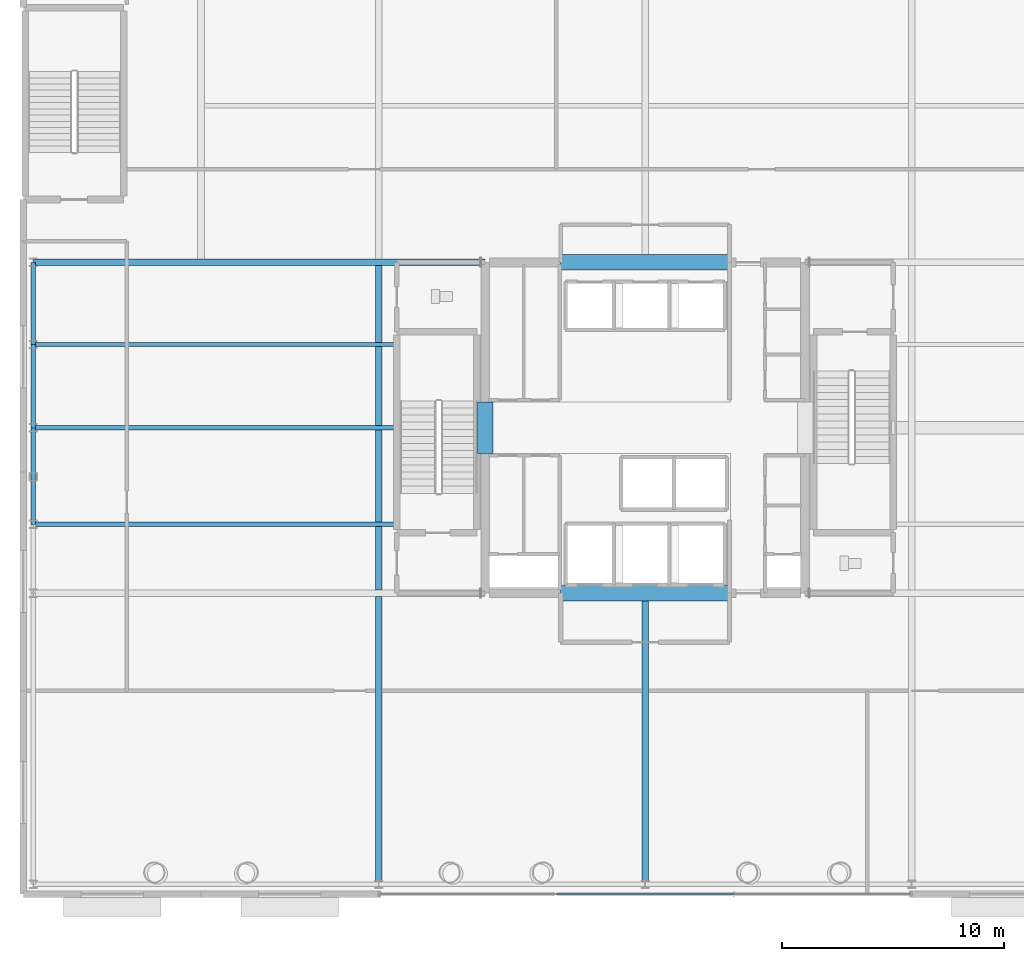
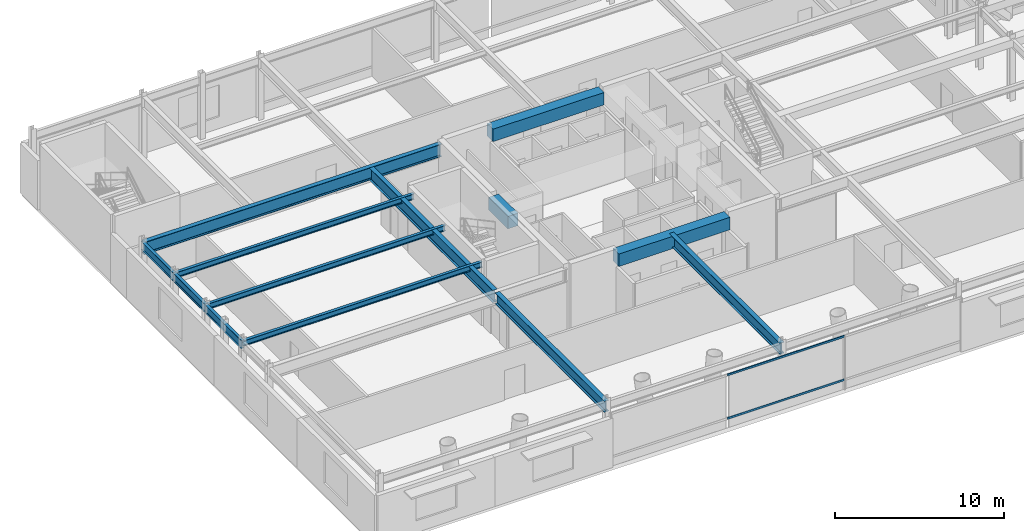
# One storey, part 7 of 26: 13 beams, 2 members, 1 element without a shape of its own.
"""IFC4 building model written with IfcOpenShell, lengths in metres."""

from ifc_helpers import new_model, si_unit, direction, frame, origin, origin_2d, place, context, subcontext, project, spatial, rectangle, hollow_rectangle, i_section, extrude, material, layer, layer_set, material_profile, profile_set, type_object, element, aggregate, save


model = new_model("IFC4")

# Units and contexts
model_context = context("Model", 3, precision=1e-05, world=origin(), true_north=direction((0.0, 1.0)))
body_context = subcontext(model_context, "Body", "Model", "MODEL_VIEW")
ifc_project = project(units=[si_unit("LENGTHUNIT", "METRE"), si_unit("AREAUNIT", "SQUARE_METRE"), si_unit("VOLUMEUNIT", "CUBIC_METRE"), si_unit("PLANEANGLEUNIT", "RADIAN"), si_unit("MASSUNIT", "GRAM", prefix="KILO")], contexts=[model_context])

# Site, building, storey
site_placement = place(None, origin())
site = spatial("IfcSite", under=ifc_project, at=site_placement, CompositionType="ELEMENT")
building_placement = place(site_placement, origin())
building = spatial("IfcBuilding", under=site, at=building_placement, Name="Veldorina Hangang Commons", CompositionType="ELEMENT")
storey_placement = place(building_placement, frame((0.0, 0.0, 10.0)))
storey = spatial("IfcBuildingStorey", under=building, at=storey_placement, Name="L02", CompositionType="ELEMENT", Elevation=10.0)

# Beams
ifc_material_1 = material(Name="Concrete C70/85", Category="concrete")
ifc_material_profile_1 = material_profile(ifc_material_1, rectangle(XDim=0.699951171875, YDim=0.89990234375, at=origin_2d()), Name="RC-CB-700x900")
ifc_profile_set_1 = profile_set([ifc_material_profile_1], Name="Concrete C70/85")
beam_type_1 = type_object("IfcBeamType", Name="BM-CB900", PredefinedType="LINTEL", material=ifc_profile_set_1)
beam_1_placement = place(storey_placement, frame((24.800048828125, 22.85009765625, 4.050048828125), z_axis=(0.0, 1.0, 0.0), x_axis=(-1.0, 0.0, 0.0)))
element("IfcBeam", 1, at=beam_1_placement, inside=storey, type_object=beam_type_1, Name="L02 W core coupling lintel beam", PredefinedType="LINTEL", context=body_context, shape_type="SweptSolid", body=[
    extrude(rectangle(XDim=0.699951171875, YDim=0.89990234375, at=origin_2d()), origin(), (0.0, 0.0, 1.0), 2.2998046875),
])
for number, where, z_axis, x_axis, name in (
    (2, (28.199951171875, 16.550048828125, 4.050048828125), (1.0, 0.0, 0.0), (0.0, 1.0, 0.0), "L02 south core coupling beam"),
    (3, (28.199951171875, 31.449951171875, 4.050048828125), (1.0, 0.0, 0.0), (0.0, 1.0, 0.0), "L02 north core coupling beam"),
):
    element("IfcBeam", number, at=place(storey_placement, frame(where, z_axis=z_axis, x_axis=x_axis)), inside=storey, type_object=beam_type_1, Name=name, PredefinedType="LINTEL", context=body_context, shape_type="SweptSolid", body=[
        extrude(rectangle(XDim=0.699951171875, YDim=0.89990234375, at=origin_2d()), origin(), (0.0, 0.0, 1.0), 7.60009765625),
    ])
ifc_material_2 = material(Name="Steel SM355-TMC", Category="steel")
ifc_material_profile_2 = material_profile(ifc_material_2, i_section(OverallWidth=0.199951171875, OverallDepth=0.39990234375, WebThickness=0.008056640625, FlangeThickness=0.012939453125, FilletRadius=0.012939453125, at=origin_2d()), Name="H-400x200x8x13")
ifc_profile_set_2 = profile_set([ifc_material_profile_2], Name="Steel SM355-TMC")
beam_type_2 = type_object("IfcBeamType", Name="BM-JST400", PredefinedType="JOIST", material=ifc_profile_set_2)
for number, where, z_axis, x_axis, name in (
    (4, (4.449951171875, 19.64990234375, 4.300048828125), (1.0, 0.0, 0.0), (0.0, 1.0, 0.0), "L02 west floor joist 1"),
    (5, (4.449951171875, 24.0, 4.300048828125), (1.0, 0.0, 0.0), (0.0, 1.0, 0.0), "L02 west floor joist 2"),
    (6, (4.449951171875, 27.75, 4.300048828125), (1.0, 0.0, 0.0), (0.0, 1.0, 0.0), "L02 west floor joist 3"),
):
    element("IfcBeam", number, at=place(storey_placement, frame(where, z_axis=z_axis, x_axis=x_axis)), inside=storey, type_object=beam_type_2, Name=name, PredefinedType="JOIST", context=body_context, shape_type="SweptSolid", body=[
        extrude(i_section(OverallWidth=0.199951171875, OverallDepth=0.39990234375, WebThickness=0.008056640625, FlangeThickness=0.012939453125, FilletRadius=0.012939453125, at=origin_2d()), origin(), (0.0, 0.0, 1.0), 16.3701171875),
    ])
ifc_material_3 = material(Name="Steel SM460-TMC", Category="steel")
ifc_material_profile_3 = material_profile(ifc_material_3, i_section(OverallWidth=0.300048828125, OverallDepth=0.800048828125, WebThickness=0.013916015625, FlangeThickness=0.02587890625, FilletRadius=0.02197265625, at=origin_2d()), Name="H-800x300x14x26")
ifc_profile_set_3 = profile_set([ifc_material_profile_3], Name="Steel SM460-TMC")
beam_type_3 = type_object("IfcBeamType", Name="BM-PG800", PredefinedType="BEAM", material=ifc_profile_set_3)
beam_2_placement = place(storey_placement, frame((20.0, 3.449951171875, 4.10009765625), z_axis=(0.0, 1.0, 0.0), x_axis=(-1.0, 0.0, 0.0)))
element("IfcBeam", 7, at=beam_2_placement, inside=storey, type_object=beam_type_3, Name="L02 south primary girder G3", PredefinedType="BEAM", context=body_context, shape_type="SweptSolid", body=[
    extrude(i_section(OverallWidth=0.300048828125, OverallDepth=0.800048828125, WebThickness=0.013916015625, FlangeThickness=0.02587890625, FilletRadius=0.02197265625, at=origin_2d()), origin(), (0.0, 0.0, 1.0), 12.9599609375),
])
beam_3_placement = place(storey_placement, frame((32.0, 3.449951171875, 4.10009765625), z_axis=(0.0, 1.0, 0.0), x_axis=(-1.0, 0.0, 0.0)))
element("IfcBeam", 8, at=beam_3_placement, inside=storey, type_object=beam_type_3, Name="L02 south primary girder G5", PredefinedType="BEAM", context=body_context, shape_type="SweptSolid", body=[
    extrude(i_section(OverallWidth=0.300048828125, OverallDepth=0.800048828125, WebThickness=0.013916015625, FlangeThickness=0.02587890625, FilletRadius=0.02197265625, at=origin_2d()), origin(), (0.0, 0.0, 1.0), 13.10009765625),
])
ifc_material_profile_4 = material_profile(ifc_material_3, i_section(OverallWidth=0.300048828125, OverallDepth=0.89990234375, WebThickness=0.01611328125, FlangeThickness=0.028076171875, FilletRadius=0.02197265625, at=origin_2d()), Name="H-900x300x16x28")
ifc_profile_set_4 = profile_set([ifc_material_profile_4], Name="Steel SM460-TMC")
beam_type_4 = type_object("IfcBeamType", Name="BM-PG900", PredefinedType="BEAM", material=ifc_profile_set_4)
beam_4_placement = place(storey_placement, frame((4.449951171875, 31.449951171875, 4.050048828125), z_axis=(1.0, 0.0, 0.0), x_axis=(0.0, 1.0, 0.0)))
element("IfcBeam", 9, at=beam_4_placement, inside=storey, type_object=beam_type_4, Name="L02 west collector girder GF", PredefinedType="BEAM", context=body_context, shape_type="SweptSolid", body=[
    extrude(i_section(OverallWidth=0.300048828125, OverallDepth=0.89990234375, WebThickness=0.01611328125, FlangeThickness=0.028076171875, FilletRadius=0.02197265625, at=origin_2d()), origin(), (0.0, 0.0, 1.0), 20.35009765625),
])
beam_5_placement = place(storey_placement, frame((20.0, 16.68994140625, 4.050048828125), z_axis=(0.0, 1.0, 0.0), x_axis=(-1.0, 0.0, 0.0)))
element("IfcBeam", 10, at=beam_5_placement, inside=storey, type_object=beam_type_4, Name="L02 mid primary girder G3", PredefinedType="BEAM", context=body_context, shape_type="SweptSolid", body=[
    extrude(i_section(OverallWidth=0.300048828125, OverallDepth=0.89990234375, WebThickness=0.01611328125, FlangeThickness=0.028076171875, FilletRadius=0.02197265625, at=origin_2d()), origin(), (0.0, 0.0, 1.0), 14.6201171875),
])
ifc_material_4 = material(Name="Steel SM420-TMC", Category="steel")
ifc_material_profile_5 = material_profile(ifc_material_4, i_section(OverallWidth=0.199951171875, OverallDepth=0.60009765625, WebThickness=0.010986328125, FlangeThickness=0.01708984375, FilletRadius=0.01806640625, at=origin_2d()), Name="H-600x200x11x17")
ifc_profile_set_5 = profile_set([ifc_material_profile_5], Name="Steel SM420-TMC")
beam_type_5 = type_object("IfcBeamType", Name="BM-SPN600", PredefinedType="SPANDREL", material=ifc_profile_set_5)
beam_6_placement = place(storey_placement, frame((4.449951171875, 19.64990234375, 4.199951171875), z_axis=(0.0, 1.0, 0.0), x_axis=(-1.0, 0.0, 0.0)))
element("IfcBeam", 11, at=beam_6_placement, inside=storey, type_object=beam_type_5, Name="L02 west spandrel beam 3", PredefinedType="SPANDREL", context=body_context, shape_type="SweptSolid", body=[
    extrude(i_section(OverallWidth=0.199951171875, OverallDepth=0.60009765625, WebThickness=0.010986328125, FlangeThickness=0.01708984375, FilletRadius=0.01806640625, at=origin_2d()), origin(), (0.0, 0.0, 1.0), 4.35009765625),
])
beam_7_placement = place(storey_placement, frame((4.449951171875, 24.0, 4.199951171875), z_axis=(0.0, 1.0, 0.0), x_axis=(-1.0, 0.0, 0.0)))
element("IfcBeam", 12, at=beam_7_placement, inside=storey, type_object=beam_type_5, Name="L02 west spandrel beam 4", PredefinedType="SPANDREL", context=body_context, shape_type="SweptSolid", body=[
    extrude(i_section(OverallWidth=0.199951171875, OverallDepth=0.60009765625, WebThickness=0.010986328125, FlangeThickness=0.01708984375, FilletRadius=0.01806640625, at=origin_2d()), origin(), (0.0, 0.0, 1.0), 3.75),
])
beam_8_placement = place(storey_placement, frame((4.449951171875, 27.75, 4.199951171875), z_axis=(0.0, 1.0, 0.0), x_axis=(-1.0, 0.0, 0.0)))
element("IfcBeam", 13, at=beam_8_placement, inside=storey, type_object=beam_type_5, Name="L02 west spandrel beam 5", PredefinedType="SPANDREL", context=body_context, shape_type="SweptSolid", body=[
    extrude(i_section(OverallWidth=0.199951171875, OverallDepth=0.60009765625, WebThickness=0.010986328125, FlangeThickness=0.01708984375, FilletRadius=0.01806640625, at=origin_2d()), origin(), (0.0, 0.0, 1.0), 3.699951171875),
])

# Curtain wall, members
ifc_material_5 = material(Name="Glass Low-E Triple IGU", Category="glass")
ifc_layer = layer(ifc_material_5, 0.179931640625)
ifc_layer_set = layer_set([ifc_layer], Name="Glass Low-E Triple IGU")
curtain_wall_type = type_object("IfcCurtainWallType", Name="CW-SYS-POD", PredefinedType="NOTDEFINED", material=ifc_layer_set)
curtain_wall_placement = place(storey_placement, origin())
curtain_wall = element("IfcCurtainWall", 14, at=curtain_wall_placement, inside=storey, type_object=curtain_wall_type, Name="L02 unitised curtain wall CW-L02-S-CTR", PredefinedType="NOTDEFINED")
ifc_material_6 = material(Name="Aluminium Anodized AA6063-T6", Category="aluminium")
ifc_material_profile_6 = material_profile(ifc_material_6, hollow_rectangle(XDim=0.06005859375, YDim=0.139892578125, WallThickness=0.00341796875, at=origin_2d()), Name="ALU-RHS-140x60x3.5")
ifc_profile_set_6 = profile_set([ifc_material_profile_6], Name="Aluminium Anodized AA6063-T6")
member_type = type_object("IfcMemberType", Name="CW-TRN-140", PredefinedType="USERDEFINED", material=ifc_profile_set_6)
member_1_placement = place(storey_placement, frame((28.0, 3.0, 0.699951171875), z_axis=(1.0, 0.0, 0.0), x_axis=(0.0, 1.0, 0.0)))
member_1 = element("IfcMember", 15, at=member_1_placement, type_object=member_type, Name="CW-L02-S-CTR facet 2 transom 1", ObjectType="TRANSOM", PredefinedType="USERDEFINED", context=body_context, shape_type="SweptSolid", body=[
    extrude(hollow_rectangle(XDim=0.06005859375, YDim=0.139892578125, WallThickness=0.00341796875, at=origin_2d()), origin(), (0.0, 0.0, 1.0), 8.0),
])
member_2_placement = place(storey_placement, frame((28.0, 3.0, 3.840087890625), z_axis=(1.0, 0.0, 0.0), x_axis=(0.0, 1.0, 0.0)))
member_2 = element("IfcMember", 16, at=member_2_placement, type_object=member_type, Name="CW-L02-S-CTR facet 2 transom 2", ObjectType="TRANSOM", PredefinedType="USERDEFINED", context=body_context, shape_type="SweptSolid", body=[
    extrude(hollow_rectangle(XDim=0.06005859375, YDim=0.139892578125, WallThickness=0.00341796875, at=origin_2d()), origin(), (0.0, 0.0, 1.0), 8.0),
])
aggregate(curtain_wall, [member_1, member_2])

save(model, "model.ifc")
